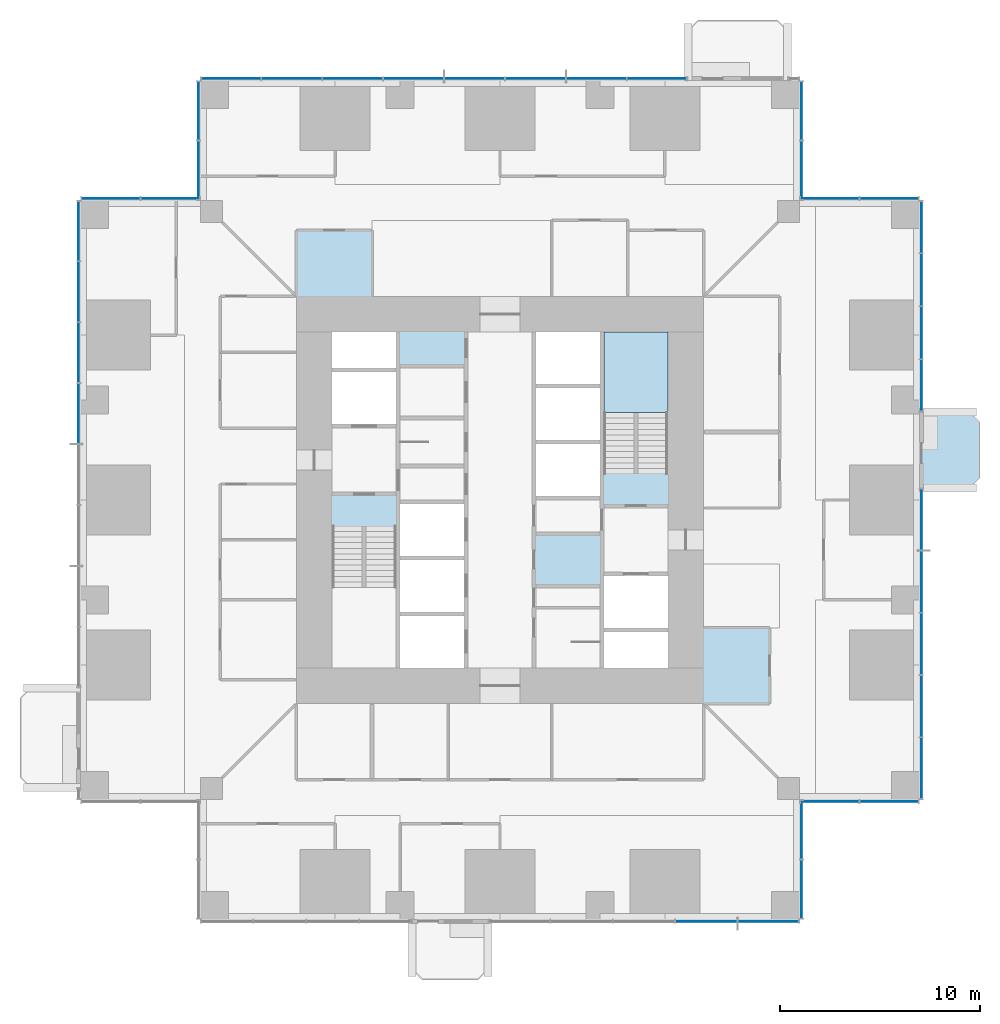
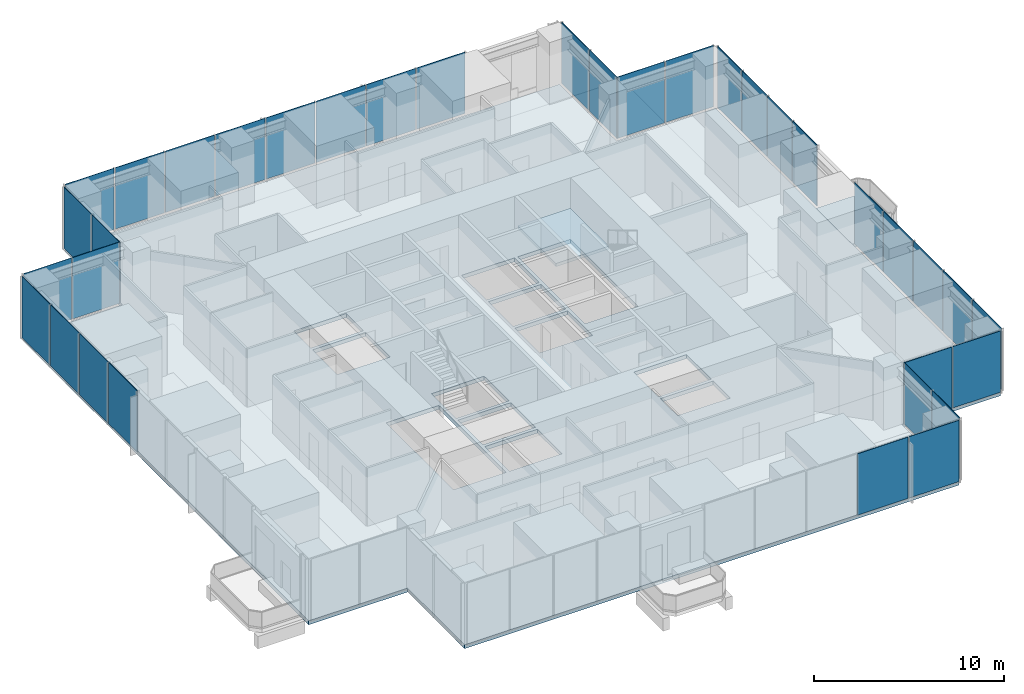
# One storey, part 9 of 17: 35 plates, 3 slabs, 12 elements without a shape of their own.
"""IFC4 building model written with IfcOpenShell, lengths in metres."""

from ifc_helpers import new_model, si_unit, direction, frame, origin, origin_2d, place, context, subcontext, project, spatial, polyline, rectangle, outline, extrude, material, layer, layer_set, type_object, element, aggregate, save


model = new_model("IFC4")

# Units and contexts
model_context = context("Model", 3, precision=1e-05, world=origin(), true_north=direction((0.0, 1.0)))
body_context = subcontext(model_context, "Body", "Model", "MODEL_VIEW")
ifc_project = project(units=[si_unit("LENGTHUNIT", "METRE"), si_unit("AREAUNIT", "SQUARE_METRE"), si_unit("VOLUMEUNIT", "CUBIC_METRE"), si_unit("PLANEANGLEUNIT", "RADIAN"), si_unit("MASSUNIT", "GRAM", prefix="KILO")], contexts=[model_context])

# Site, building, storey
site_placement = place(None, origin())
site = spatial("IfcSite", under=ifc_project, at=site_placement, CompositionType="ELEMENT")
building_placement = place(site_placement, origin())
building = spatial("IfcBuilding", under=site, at=building_placement, Name="Svetlomir Tower", CompositionType="ELEMENT")
storey_placement = place(building_placement, frame((0.0, 0.0, 70.5)))
storey = spatial("IfcBuildingStorey", under=building, at=storey_placement, Name="L16", CompositionType="ELEMENT", Elevation=70.5)

# Slab
ifc_material_1 = material(Name="Concrete C60/75", Category="concrete")
ifc_layer_1 = layer(ifc_material_1, 0.25)
ifc_layer_set_1 = layer_set([ifc_layer_1], Name="Concrete C60/75")
slab_type_1 = type_object("IfcSlabType", Name="BALCONY SLAB 250", PredefinedType="FLOOR", material=ifc_layer_set_1)
slab_1_placement = place(storey_placement, frame((0.0, 0.0, -0.25)))
element("IfcSlab", 1, at=slab_1_placement, inside=storey, type_object=slab_type_1, Name="L16 E planted balcony", PredefinedType="FLOOR", context=body_context, shape_type="SweptSolid", body=[
    extrude(outline(polyline([(42.0, 21.60009765625), (44.5, 21.60009765625), (45.0, 22.10009765625), (45.0, 24.89990234375), (44.5, 25.39990234375), (42.0, 25.39990234375), (42.0, 21.60009765625)])), origin(), (0.0, 0.0, 1.0), 0.25),
])

# Curtain wall, plates
ifc_material_2 = material(Name="Bronze anodised aluminium curtain wall", Category="aluminium")
curtain_wall_type = type_object("IfcCurtainWallType", Name="CURTAIN WALL CW1 TOWER OFFICE", PredefinedType="NOTDEFINED", material=ifc_material_2)
curtain_wall_1_placement = place(storey_placement, origin())
curtain_wall_1 = element("IfcCurtainWall", 2, at=curtain_wall_1_placement, inside=storey, type_object=curtain_wall_type, Name="Curtain wall CW1 L16", PredefinedType="NOTDEFINED")
ifc_material_3 = material(Name="Tinted double glazed unit", Category="glass")
ifc_layer_2 = layer(ifc_material_3, 0.031982421875)
ifc_layer_set_2 = layer_set([ifc_layer_2], Name="Tinted double glazed unit")
plate_type = type_object("IfcPlateType", Name="CW1 GLAZED PANEL 32", PredefinedType="CURTAIN_PANEL", material=ifc_layer_set_2)
plate_1_placement = place(storey_placement, frame((31.320068359375, -0.10009765625, 0.06494140625), z_axis=(0.0, 0.0, 1.0), x_axis=(1.0, 0.0, 0.0)))
plate_1 = element("IfcPlate", 3, at=plate_1_placement, type_object=plate_type, Name="CW1 panel 4.1", PredefinedType="CURTAIN_PANEL", context=body_context, shape_type="SweptSolid", body=[
    extrude(rectangle(XDim=3.054931640625, YDim=0.031982421875, at=origin_2d()), origin(), (0.0, 0.0, 1.0), 3.93505859375),
])
plate_2_placement = place(storey_placement, frame((34.423828125, -0.10009765625, 0.06494140625), z_axis=(0.0, 0.0, 1.0), x_axis=(1.0, 0.0, 0.0)))
plate_2 = element("IfcPlate", 4, at=plate_2_placement, type_object=plate_type, Name="CW1 panel 5.1", PredefinedType="CURTAIN_PANEL", context=body_context, shape_type="SweptSolid", body=[
    extrude(rectangle(XDim=3.0224609375, YDim=0.031982421875, at=origin_2d()), origin(), (0.0, 0.0, 1.0), 3.93505859375),
])
aggregate(curtain_wall_1, [plate_1, plate_2])

curtain_wall_2_placement = place(storey_placement, origin())
curtain_wall_2 = element("IfcCurtainWall", 5, at=curtain_wall_2_placement, inside=storey, type_object=curtain_wall_type, Name="Curtain wall CW1 L16", PredefinedType="NOTDEFINED")
plate_3_placement = place(storey_placement, frame((36.10009765625, 1.516357421875, 0.06494140625), z_axis=(0.0, 0.0, 1.0), x_axis=(0.0, 1.0, 0.0)))
plate_3 = element("IfcPlate", 6, at=plate_3_placement, type_object=plate_type, Name="CW1 panel 1.1", PredefinedType="CURTAIN_PANEL", context=body_context, shape_type="SweptSolid", body=[
    extrude(rectangle(XDim=2.902587890625, YDim=0.031982421875, at=origin_2d()), origin(), (0.0, 0.0, 1.0), 3.93505859375),
])
plate_4_placement = place(storey_placement, frame((36.10009765625, 4.483642578125, 0.06494140625), z_axis=(0.0, 0.0, 1.0), x_axis=(0.0, 1.0, 0.0)))
plate_4 = element("IfcPlate", 7, at=plate_4_placement, type_object=plate_type, Name="CW1 panel 2.1", PredefinedType="CURTAIN_PANEL", context=body_context, shape_type="SweptSolid", body=[
    extrude(rectangle(XDim=2.902587890625, YDim=0.031982421875, at=origin_2d()), origin(), (0.0, 0.0, 1.0), 3.93505859375),
])
aggregate(curtain_wall_2, [plate_3, plate_4])

curtain_wall_3_placement = place(storey_placement, origin())
curtain_wall_3 = element("IfcCurtainWall", 8, at=curtain_wall_3_placement, inside=storey, type_object=curtain_wall_type, Name="Curtain wall CW1 L16", PredefinedType="NOTDEFINED")
plate_5_placement = place(storey_placement, frame((37.516357421875, 5.89990234375, 0.06494140625), z_axis=(0.0, 0.0, 1.0), x_axis=(1.0, 0.0, 0.0)))
plate_5 = element("IfcPlate", 9, at=plate_5_placement, type_object=plate_type, Name="CW1 panel 1.1", PredefinedType="CURTAIN_PANEL", context=body_context, shape_type="SweptSolid", body=[
    extrude(rectangle(XDim=2.902587890625, YDim=0.031982421875, at=origin_2d()), origin(), (0.0, 0.0, 1.0), 3.93505859375),
])
plate_6_placement = place(storey_placement, frame((40.483642578125, 5.89990234375, 0.06494140625), z_axis=(0.0, 0.0, 1.0), x_axis=(1.0, 0.0, 0.0)))
plate_6 = element("IfcPlate", 10, at=plate_6_placement, type_object=plate_type, Name="CW1 panel 2.1", PredefinedType="CURTAIN_PANEL", context=body_context, shape_type="SweptSolid", body=[
    extrude(rectangle(XDim=2.902587890625, YDim=0.031982421875, at=origin_2d()), origin(), (0.0, 0.0, 1.0), 3.93505859375),
])
aggregate(curtain_wall_3, [plate_5, plate_6])

curtain_wall_4_placement = place(storey_placement, origin())
curtain_wall_4 = element("IfcCurtainWall", 11, at=curtain_wall_4_placement, inside=storey, type_object=curtain_wall_type, Name="Curtain wall CW1 L16", PredefinedType="NOTDEFINED")
plate_7_placement = place(storey_placement, frame((42.10009765625, 7.576171875, 0.06494140625), z_axis=(0.0, 0.0, 1.0), x_axis=(0.0, 1.0, 0.0)))
plate_7 = element("IfcPlate", 12, at=plate_7_placement, type_object=plate_type, Name="CW1 panel 1.1", PredefinedType="CURTAIN_PANEL", context=body_context, shape_type="SweptSolid", body=[
    extrude(rectangle(XDim=3.0224609375, YDim=0.031982421875, at=origin_2d()), origin(), (0.0, 0.0, 1.0), 3.93505859375),
])
plate_8_placement = place(storey_placement, frame((42.10009765625, 10.679931640625, 0.06494140625), z_axis=(0.0, 0.0, 1.0), x_axis=(0.0, 1.0, 0.0)))
plate_8 = element("IfcPlate", 13, at=plate_8_placement, type_object=plate_type, Name="CW1 panel 2.1", PredefinedType="CURTAIN_PANEL", context=body_context, shape_type="SweptSolid", body=[
    extrude(rectangle(XDim=3.054931640625, YDim=0.031982421875, at=origin_2d()), origin(), (0.0, 0.0, 1.0), 3.93505859375),
])
plate_9_placement = place(storey_placement, frame((42.10009765625, 13.800048828125, 0.06494140625), z_axis=(0.0, 0.0, 1.0), x_axis=(0.0, 1.0, 0.0)))
plate_9 = element("IfcPlate", 14, at=plate_9_placement, type_object=plate_type, Name="CW1 panel 3.1", PredefinedType="CURTAIN_PANEL", context=body_context, shape_type="SweptSolid", body=[
    extrude(rectangle(XDim=3.054931640625, YDim=0.031982421875, at=origin_2d()), origin(), (0.0, 0.0, 1.0), 3.93505859375),
])
plate_10_placement = place(storey_placement, frame((42.10009765625, 16.919921875, 0.06494140625), z_axis=(0.0, 0.0, 1.0), x_axis=(0.0, 1.0, 0.0)))
plate_10 = element("IfcPlate", 15, at=plate_10_placement, type_object=plate_type, Name="CW1 panel 4.1", PredefinedType="CURTAIN_PANEL", context=body_context, shape_type="SweptSolid", body=[
    extrude(rectangle(XDim=3.054931640625, YDim=0.031982421875, at=origin_2d()), origin(), (0.0, 0.0, 1.0), 3.93505859375),
])
plate_11_placement = place(storey_placement, frame((42.10009765625, 20.023681640625, 0.06494140625), z_axis=(0.0, 0.0, 1.0), x_axis=(0.0, 1.0, 0.0)))
plate_11 = element("IfcPlate", 16, at=plate_11_placement, type_object=plate_type, Name="CW1 panel 5.1", PredefinedType="CURTAIN_PANEL", context=body_context, shape_type="SweptSolid", body=[
    extrude(rectangle(XDim=3.0224609375, YDim=0.031982421875, at=origin_2d()), origin(), (0.0, 0.0, 1.0), 3.93505859375),
])
aggregate(curtain_wall_4, [plate_7, plate_8, plate_9, plate_10, plate_11])

curtain_wall_5_placement = place(storey_placement, origin())
curtain_wall_5 = element("IfcCurtainWall", 17, at=curtain_wall_5_placement, inside=storey, type_object=curtain_wall_type, Name="Curtain wall CW1 L16", PredefinedType="NOTDEFINED")
plate_12_placement = place(storey_placement, frame((42.10009765625, 26.7412109375, 0.06494140625), z_axis=(0.0, 0.0, 1.0), x_axis=(0.0, 1.0, 0.0)))
plate_12 = element("IfcPlate", 18, at=plate_12_placement, type_object=plate_type, Name="CW1 panel 1.1", PredefinedType="CURTAIN_PANEL", context=body_context, shape_type="SweptSolid", body=[
    extrude(rectangle(XDim=2.552490234375, YDim=0.031982421875, at=origin_2d()), origin(), (0.0, 0.0, 1.0), 3.93505859375),
])
plate_13_placement = place(storey_placement, frame((42.10009765625, 29.375, 0.06494140625), z_axis=(0.0, 0.0, 1.0), x_axis=(0.0, 1.0, 0.0)))
plate_13 = element("IfcPlate", 19, at=plate_13_placement, type_object=plate_type, Name="CW1 panel 2.1", PredefinedType="CURTAIN_PANEL", context=body_context, shape_type="SweptSolid", body=[
    extrude(rectangle(XDim=2.5849609375, YDim=0.031982421875, at=origin_2d()), origin(), (0.0, 0.0, 1.0), 3.93505859375),
])
plate_14_placement = place(storey_placement, frame((42.10009765625, 32.02490234375, 0.06494140625), z_axis=(0.0, 0.0, 1.0), x_axis=(0.0, 1.0, 0.0)))
plate_14 = element("IfcPlate", 20, at=plate_14_placement, type_object=plate_type, Name="CW1 panel 3.1", PredefinedType="CURTAIN_PANEL", context=body_context, shape_type="SweptSolid", body=[
    extrude(rectangle(XDim=2.5849609375, YDim=0.031982421875, at=origin_2d()), origin(), (0.0, 0.0, 1.0), 3.93505859375),
])
plate_15_placement = place(storey_placement, frame((42.10009765625, 34.65869140625, 0.06494140625), z_axis=(0.0, 0.0, 1.0), x_axis=(0.0, 1.0, 0.0)))
plate_15 = element("IfcPlate", 21, at=plate_15_placement, type_object=plate_type, Name="CW1 panel 4.1", PredefinedType="CURTAIN_PANEL", context=body_context, shape_type="SweptSolid", body=[
    extrude(rectangle(XDim=2.552490234375, YDim=0.031982421875, at=origin_2d()), origin(), (0.0, 0.0, 1.0), 3.93505859375),
])
aggregate(curtain_wall_5, [plate_12, plate_13, plate_14, plate_15])

curtain_wall_6_placement = place(storey_placement, origin())
curtain_wall_6 = element("IfcCurtainWall", 22, at=curtain_wall_6_placement, inside=storey, type_object=curtain_wall_type, Name="Curtain wall CW1 L16", PredefinedType="NOTDEFINED")
plate_16_placement = place(storey_placement, frame((40.483642578125, 36.10009765625, 0.06494140625), z_axis=(0.0, 0.0, 1.0), x_axis=(-1.0, 0.0, 0.0)))
plate_16 = element("IfcPlate", 23, at=plate_16_placement, type_object=plate_type, Name="CW1 panel 1.1", PredefinedType="CURTAIN_PANEL", context=body_context, shape_type="SweptSolid", body=[
    extrude(rectangle(XDim=2.902587890625, YDim=0.031982421875, at=origin_2d()), origin(), (0.0, 0.0, 1.0), 3.93505859375),
])
plate_17_placement = place(storey_placement, frame((37.516357421875, 36.10009765625, 0.06494140625), z_axis=(0.0, 0.0, 1.0), x_axis=(-1.0, 0.0, 0.0)))
plate_17 = element("IfcPlate", 24, at=plate_17_placement, type_object=plate_type, Name="CW1 panel 2.1", PredefinedType="CURTAIN_PANEL", context=body_context, shape_type="SweptSolid", body=[
    extrude(rectangle(XDim=2.902587890625, YDim=0.031982421875, at=origin_2d()), origin(), (0.0, 0.0, 1.0), 3.93505859375),
])
aggregate(curtain_wall_6, [plate_16, plate_17])

curtain_wall_7_placement = place(storey_placement, origin())
curtain_wall_7 = element("IfcCurtainWall", 25, at=curtain_wall_7_placement, inside=storey, type_object=curtain_wall_type, Name="Curtain wall CW1 L16", PredefinedType="NOTDEFINED")
plate_18_placement = place(storey_placement, frame((36.10009765625, 37.516357421875, 0.06494140625), z_axis=(0.0, 0.0, 1.0), x_axis=(0.0, 1.0, 0.0)))
plate_18 = element("IfcPlate", 26, at=plate_18_placement, type_object=plate_type, Name="CW1 panel 1.1", PredefinedType="CURTAIN_PANEL", context=body_context, shape_type="SweptSolid", body=[
    extrude(rectangle(XDim=2.902587890625, YDim=0.031982421875, at=origin_2d()), origin(), (0.0, 0.0, 1.0), 3.93505859375),
])
plate_19_placement = place(storey_placement, frame((36.10009765625, 40.483642578125, 0.06494140625), z_axis=(0.0, 0.0, 1.0), x_axis=(0.0, 1.0, 0.0)))
plate_19 = element("IfcPlate", 27, at=plate_19_placement, type_object=plate_type, Name="CW1 panel 2.1", PredefinedType="CURTAIN_PANEL", context=body_context, shape_type="SweptSolid", body=[
    extrude(rectangle(XDim=2.902587890625, YDim=0.031982421875, at=origin_2d()), origin(), (0.0, 0.0, 1.0), 3.93505859375),
])
aggregate(curtain_wall_7, [plate_18, plate_19])

curtain_wall_8_placement = place(storey_placement, origin())
curtain_wall_8 = element("IfcCurtainWall", 28, at=curtain_wall_8_placement, inside=storey, type_object=curtain_wall_type, Name="Curtain wall CW1 L16", PredefinedType="NOTDEFINED")
plate_20_placement = place(storey_placement, frame((28.858642578125, 42.10009765625, 0.06494140625), z_axis=(0.0, 0.0, 1.0), x_axis=(-1.0, 0.0, 0.0)))
plate_20 = element("IfcPlate", 29, at=plate_20_placement, type_object=plate_type, Name="CW1 panel 1.1", PredefinedType="CURTAIN_PANEL", context=body_context, shape_type="SweptSolid", body=[
    extrude(rectangle(XDim=2.952392578125, YDim=0.031982421875, at=origin_2d()), origin(), (0.0, 0.0, 1.0), 3.93505859375),
])
plate_21_placement = place(storey_placement, frame((25.824951171875, 42.10009765625, 0.06494140625), z_axis=(0.0, 0.0, 1.0), x_axis=(-1.0, 0.0, 0.0)))
plate_21 = element("IfcPlate", 30, at=plate_21_placement, type_object=plate_type, Name="CW1 panel 2.1", PredefinedType="CURTAIN_PANEL", context=body_context, shape_type="SweptSolid", body=[
    extrude(rectangle(XDim=2.985107421875, YDim=0.031982421875, at=origin_2d()), origin(), (0.0, 0.0, 1.0), 3.93505859375),
])
plate_22_placement = place(storey_placement, frame((22.77490234375, 42.10009765625, 0.06494140625), z_axis=(0.0, 0.0, 1.0), x_axis=(-1.0, 0.0, 0.0)))
plate_22 = element("IfcPlate", 31, at=plate_22_placement, type_object=plate_type, Name="CW1 panel 3.1", PredefinedType="CURTAIN_PANEL", context=body_context, shape_type="SweptSolid", body=[
    extrude(rectangle(XDim=2.985107421875, YDim=0.031982421875, at=origin_2d()), origin(), (0.0, 0.0, 1.0), 3.93505859375),
])
plate_23_placement = place(storey_placement, frame((19.72509765625, 42.10009765625, 0.06494140625), z_axis=(0.0, 0.0, 1.0), x_axis=(-1.0, 0.0, 0.0)))
plate_23 = element("IfcPlate", 32, at=plate_23_placement, type_object=plate_type, Name="CW1 panel 4.1", PredefinedType="CURTAIN_PANEL", context=body_context, shape_type="SweptSolid", body=[
    extrude(rectangle(XDim=2.985107421875, YDim=0.031982421875, at=origin_2d()), origin(), (0.0, 0.0, 1.0), 3.93505859375),
])
plate_24_placement = place(storey_placement, frame((16.675048828125, 42.10009765625, 0.06494140625), z_axis=(0.0, 0.0, 1.0), x_axis=(-1.0, 0.0, 0.0)))
plate_24 = element("IfcPlate", 33, at=plate_24_placement, type_object=plate_type, Name="CW1 panel 5.1", PredefinedType="CURTAIN_PANEL", context=body_context, shape_type="SweptSolid", body=[
    extrude(rectangle(XDim=2.985107421875, YDim=0.031982421875, at=origin_2d()), origin(), (0.0, 0.0, 1.0), 3.93505859375),
])
plate_25_placement = place(storey_placement, frame((13.625, 42.10009765625, 0.06494140625), z_axis=(0.0, 0.0, 1.0), x_axis=(-1.0, 0.0, 0.0)))
plate_25 = element("IfcPlate", 34, at=plate_25_placement, type_object=plate_type, Name="CW1 panel 6.1", PredefinedType="CURTAIN_PANEL", context=body_context, shape_type="SweptSolid", body=[
    extrude(rectangle(XDim=2.985107421875, YDim=0.031982421875, at=origin_2d()), origin(), (0.0, 0.0, 1.0), 3.93505859375),
])
plate_26_placement = place(storey_placement, frame((10.574951171875, 42.10009765625, 0.06494140625), z_axis=(0.0, 0.0, 1.0), x_axis=(-1.0, 0.0, 0.0)))
plate_26 = element("IfcPlate", 35, at=plate_26_placement, type_object=plate_type, Name="CW1 panel 7.1", PredefinedType="CURTAIN_PANEL", context=body_context, shape_type="SweptSolid", body=[
    extrude(rectangle(XDim=2.985107421875, YDim=0.031982421875, at=origin_2d()), origin(), (0.0, 0.0, 1.0), 3.93505859375),
])
plate_27_placement = place(storey_placement, frame((7.541259765625, 42.10009765625, 0.06494140625), z_axis=(0.0, 0.0, 1.0), x_axis=(-1.0, 0.0, 0.0)))
plate_27 = element("IfcPlate", 36, at=plate_27_placement, type_object=plate_type, Name="CW1 panel 8.1", PredefinedType="CURTAIN_PANEL", context=body_context, shape_type="SweptSolid", body=[
    extrude(rectangle(XDim=2.952392578125, YDim=0.031982421875, at=origin_2d()), origin(), (0.0, 0.0, 1.0), 3.93505859375),
])
aggregate(curtain_wall_8, [plate_20, plate_21, plate_22, plate_23, plate_24, plate_25, plate_26, plate_27])

curtain_wall_9_placement = place(storey_placement, origin())
curtain_wall_9 = element("IfcCurtainWall", 37, at=curtain_wall_9_placement, inside=storey, type_object=curtain_wall_type, Name="Curtain wall CW1 L16", PredefinedType="NOTDEFINED")
plate_28_placement = place(storey_placement, frame((5.89990234375, 40.483642578125, 0.06494140625), z_axis=(0.0, 0.0, 1.0), x_axis=(0.0, -1.0, 0.0)))
plate_28 = element("IfcPlate", 38, at=plate_28_placement, type_object=plate_type, Name="CW1 panel 1.1", PredefinedType="CURTAIN_PANEL", context=body_context, shape_type="SweptSolid", body=[
    extrude(rectangle(XDim=2.902587890625, YDim=0.031982421875, at=origin_2d()), origin(), (0.0, 0.0, 1.0), 3.93505859375),
])
plate_29_placement = place(storey_placement, frame((5.89990234375, 37.516357421875, 0.06494140625), z_axis=(0.0, 0.0, 1.0), x_axis=(0.0, -1.0, 0.0)))
plate_29 = element("IfcPlate", 39, at=plate_29_placement, type_object=plate_type, Name="CW1 panel 2.1", PredefinedType="CURTAIN_PANEL", context=body_context, shape_type="SweptSolid", body=[
    extrude(rectangle(XDim=2.902587890625, YDim=0.031982421875, at=origin_2d()), origin(), (0.0, 0.0, 1.0), 3.93505859375),
])
aggregate(curtain_wall_9, [plate_28, plate_29])

curtain_wall_10_placement = place(storey_placement, origin())
curtain_wall_10 = element("IfcCurtainWall", 40, at=curtain_wall_10_placement, inside=storey, type_object=curtain_wall_type, Name="Curtain wall CW1 L16", PredefinedType="NOTDEFINED")
plate_30_placement = place(storey_placement, frame((4.483642578125, 36.10009765625, 0.06494140625), z_axis=(0.0, 0.0, 1.0), x_axis=(-1.0, 0.0, 0.0)))
plate_30 = element("IfcPlate", 41, at=plate_30_placement, type_object=plate_type, Name="CW1 panel 1.1", PredefinedType="CURTAIN_PANEL", context=body_context, shape_type="SweptSolid", body=[
    extrude(rectangle(XDim=2.902587890625, YDim=0.031982421875, at=origin_2d()), origin(), (0.0, 0.0, 1.0), 3.93505859375),
])
plate_31_placement = place(storey_placement, frame((1.516357421875, 36.10009765625, 0.06494140625), z_axis=(0.0, 0.0, 1.0), x_axis=(-1.0, 0.0, 0.0)))
plate_31 = element("IfcPlate", 42, at=plate_31_placement, type_object=plate_type, Name="CW1 panel 2.1", PredefinedType="CURTAIN_PANEL", context=body_context, shape_type="SweptSolid", body=[
    extrude(rectangle(XDim=2.902587890625, YDim=0.031982421875, at=origin_2d()), origin(), (0.0, 0.0, 1.0), 3.93505859375),
])
aggregate(curtain_wall_10, [plate_30, plate_31])

curtain_wall_11_placement = place(storey_placement, origin())
curtain_wall_11 = element("IfcCurtainWall", 43, at=curtain_wall_11_placement, inside=storey, type_object=curtain_wall_type, Name="Curtain wall CW1 L16", PredefinedType="NOTDEFINED")
plate_32_placement = place(storey_placement, frame((-0.10009765625, 34.458740234375, 0.06494140625), z_axis=(0.0, 0.0, 1.0), x_axis=(0.0, -1.0, 0.0)))
plate_32 = element("IfcPlate", 44, at=plate_32_placement, type_object=plate_type, Name="CW1 panel 1.1", PredefinedType="CURTAIN_PANEL", context=body_context, shape_type="SweptSolid", body=[
    extrude(rectangle(XDim=2.952392578125, YDim=0.031982421875, at=origin_2d()), origin(), (0.0, 0.0, 1.0), 3.93505859375),
])
plate_33_placement = place(storey_placement, frame((-0.10009765625, 31.425048828125, 0.06494140625), z_axis=(0.0, 0.0, 1.0), x_axis=(0.0, -1.0, 0.0)))
plate_33 = element("IfcPlate", 45, at=plate_33_placement, type_object=plate_type, Name="CW1 panel 2.1", PredefinedType="CURTAIN_PANEL", context=body_context, shape_type="SweptSolid", body=[
    extrude(rectangle(XDim=2.985107421875, YDim=0.031982421875, at=origin_2d()), origin(), (0.0, 0.0, 1.0), 3.93505859375),
])
plate_34_placement = place(storey_placement, frame((-0.10009765625, 28.375, 0.06494140625), z_axis=(0.0, 0.0, 1.0), x_axis=(0.0, -1.0, 0.0)))
plate_34 = element("IfcPlate", 46, at=plate_34_placement, type_object=plate_type, Name="CW1 panel 3.1", PredefinedType="CURTAIN_PANEL", context=body_context, shape_type="SweptSolid", body=[
    extrude(rectangle(XDim=2.985107421875, YDim=0.031982421875, at=origin_2d()), origin(), (0.0, 0.0, 1.0), 3.93505859375),
])
plate_35_placement = place(storey_placement, frame((-0.10009765625, 25.324951171875, 0.06494140625), z_axis=(0.0, 0.0, 1.0), x_axis=(0.0, -1.0, 0.0)))
plate_35 = element("IfcPlate", 47, at=plate_35_placement, type_object=plate_type, Name="CW1 panel 4.1", PredefinedType="CURTAIN_PANEL", context=body_context, shape_type="SweptSolid", body=[
    extrude(rectangle(XDim=2.985107421875, YDim=0.031982421875, at=origin_2d()), origin(), (0.0, 0.0, 1.0), 3.93505859375),
])
aggregate(curtain_wall_11, [plate_32, plate_33, plate_34, plate_35])

# Slab
ifc_material_4 = material(Name="Concrete C60/75", Category="concrete")
ifc_layer_3 = layer(ifc_material_4, 0.25)
ifc_layer_set_3 = layer_set([ifc_layer_3], Name="Concrete C60/75")
slab_type_2 = type_object("IfcSlabType", Name="FLOOR SLAB 250", PredefinedType="FLOOR", material=ifc_layer_set_3)
slab_2_placement = place(storey_placement, frame((0.0, 0.0, -0.25)))
element("IfcSlab", 48, at=slab_2_placement, inside=storey, type_object=slab_type_2, Name="L16 floor slab", PredefinedType="FLOOR", context=body_context, shape_type="SweptSolid", body=[
    extrude(outline(polyline([(6.0, 0.0), (36.0, 0.0), (36.0, 6.0), (42.0, 6.0), (42.0, 36.0), (36.0, 36.0), (36.0, 42.0), (6.0, 42.0), (6.0, 36.0), (0.0, 36.0), (0.0, 6.0), (6.0, 6.0), (6.0, 0.0)]), holes=[polyline([(12.60009765625, 24.800048828125), (15.800048828125, 24.800048828125), (15.800048828125, 27.39990234375), (12.60009765625, 27.39990234375), (12.60009765625, 24.800048828125)]), polyline([(26.199951171875, 14.60009765625), (29.39990234375, 14.60009765625), (29.39990234375, 17.199951171875), (26.199951171875, 17.199951171875), (26.199951171875, 14.60009765625)]), polyline([(16.0, 12.60009765625), (19.199951171875, 12.60009765625), (19.199951171875, 15.199951171875), (16.0, 15.199951171875), (16.0, 12.60009765625)]), polyline([(16.0, 15.39990234375), (19.199951171875, 15.39990234375), (19.199951171875, 18.0), (16.0, 18.0), (16.0, 15.39990234375)]), polyline([(16.0, 18.199951171875), (19.199951171875, 18.199951171875), (19.199951171875, 20.800048828125), (16.0, 20.800048828125), (16.0, 18.199951171875)]), polyline([(22.800048828125, 21.199951171875), (26.0, 21.199951171875), (26.0, 23.800048828125), (22.800048828125, 23.800048828125), (22.800048828125, 21.199951171875)]), polyline([(22.800048828125, 24.0), (26.0, 24.0), (26.0, 26.60009765625), (22.800048828125, 26.60009765625), (22.800048828125, 24.0)]), polyline([(22.800048828125, 26.800048828125), (26.0, 26.800048828125), (26.0, 29.39990234375), (22.800048828125, 29.39990234375), (22.800048828125, 26.800048828125)]), polyline([(12.60009765625, 27.60009765625), (15.800048828125, 27.60009765625), (15.800048828125, 29.39990234375), (12.60009765625, 29.39990234375), (12.60009765625, 27.60009765625)]), polyline([(26.199951171875, 12.60009765625), (29.39990234375, 12.60009765625), (29.39990234375, 14.39990234375), (26.199951171875, 14.39990234375), (26.199951171875, 12.60009765625)]), polyline([(12.60009765625, 12.60009765625), (15.800048828125, 12.60009765625), (15.800048828125, 19.679931640625), (12.60009765625, 19.679931640625), (12.60009765625, 12.60009765625)]), polyline([(26.199951171875, 22.320068359375), (29.39990234375, 22.320068359375), (29.39990234375, 29.39990234375), (26.199951171875, 29.39990234375), (26.199951171875, 22.320068359375)])]), origin(), (0.0, 0.0, 1.0), 0.25),
])

# Stair, slab
ifc_material_5 = material(Name="Concrete C60/75", Category="concrete")
stair_type = type_object("IfcStairType", Name="EXIT STAIR 3200 RISE 4000", PredefinedType="HALF_TURN_STAIR", material=ifc_material_5)
stair_placement = place(storey_placement, origin())
stair = element("IfcStair", 49, at=stair_placement, inside=storey, type_object=stair_type, Name="Stair S2 L16 to L17", PredefinedType="HALF_TURN_STAIR")
ifc_material_6 = material(Name="Concrete C60/75", Category="concrete")
ifc_layer_4 = layer(ifc_material_6, 0.199951171875)
ifc_layer_set_4 = layer_set([ifc_layer_4], Name="Concrete C60/75")
slab_type_3 = type_object("IfcSlabType", Name="STAIR LANDING 200", PredefinedType="LANDING", material=ifc_layer_set_4)
slab_3_placement = place(storey_placement, frame((0.0, 0.0, 1.800048828125)))
slab_3 = element("IfcSlab", 50, at=slab_3_placement, type_object=slab_type_3, Name="S2 landing 1", PredefinedType="LANDING", context=body_context, shape_type="SweptSolid", body=[
    extrude(outline(polyline([(26.199951171875, 25.3798828125), (29.39990234375, 25.3798828125), (29.39990234375, 29.39990234375), (26.199951171875, 29.39990234375), (26.199951171875, 25.3798828125)])), origin(), (0.0, 0.0, 1.0), 0.199951171875),
])
aggregate(stair, [slab_3])

save(model, "model.ifc")
